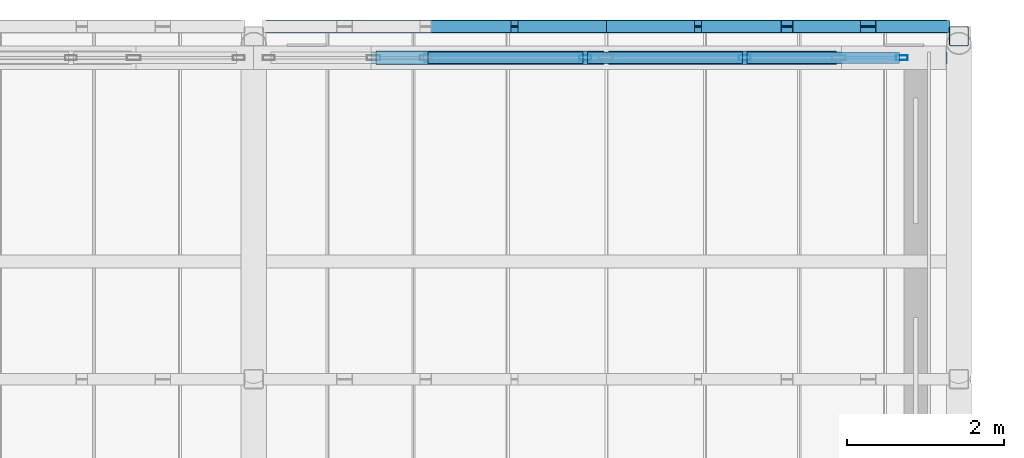
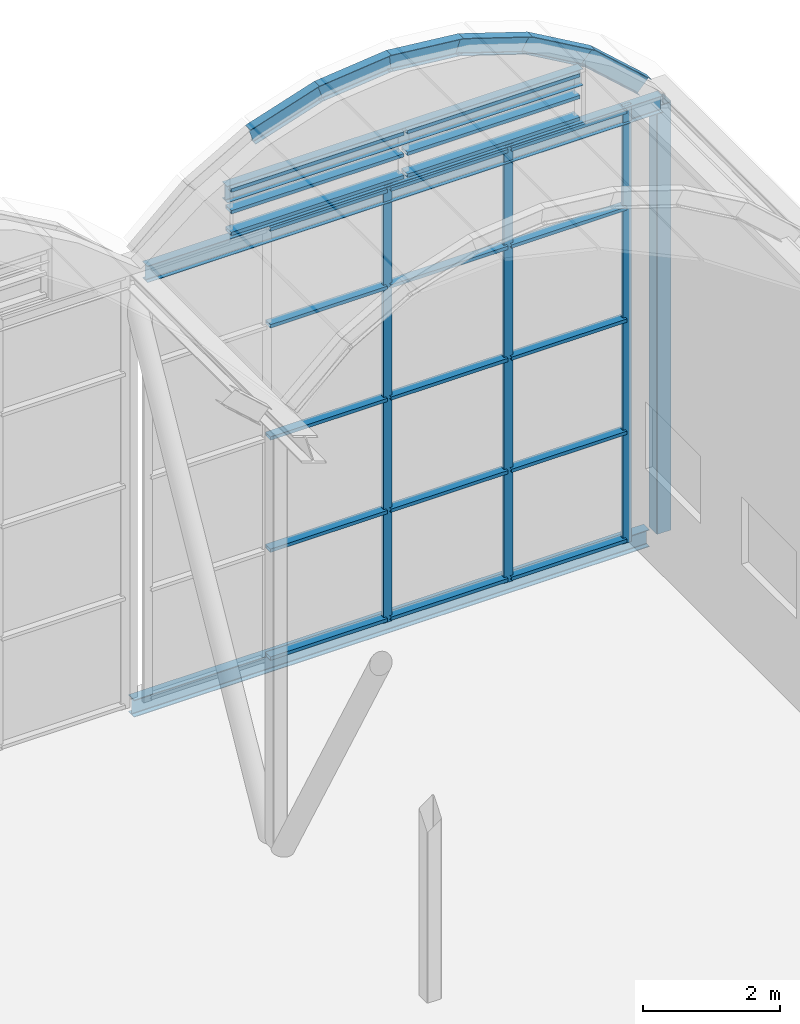
# One storey, part 112 of 144: 31 members, 3 beams, 2 elements without a shape of their own.
"""IFC4 building model written with IfcOpenShell, lengths in metres."""

from ifc_helpers import new_model, si_unit, direction, frame, origin, origin_2d, place, context, subcontext, project, spatial, hollow_rectangle, i_section, extrude, material, layer, layer_set, material_profile, profile_set, type_object, element, aggregate, save


model = new_model("IFC4")

# Units and contexts
model_context = context("Model", 3, precision=1e-05, world=origin(), true_north=direction((0.0, 1.0)))
body_context = subcontext(model_context, "Body", "Model", "MODEL_VIEW")
ifc_project = project(units=[si_unit("LENGTHUNIT", "METRE"), si_unit("AREAUNIT", "SQUARE_METRE"), si_unit("VOLUMEUNIT", "CUBIC_METRE"), si_unit("PLANEANGLEUNIT", "RADIAN"), si_unit("MASSUNIT", "GRAM", prefix="KILO")], contexts=[model_context])

# Site, building, storey
site_placement = place(None, origin())
site = spatial("IfcSite", under=ifc_project, at=site_placement, CompositionType="ELEMENT")
building_placement = place(site_placement, origin())
building = spatial("IfcBuilding", under=site, at=building_placement, Name="Shorebreak Coast Museum", CompositionType="ELEMENT")
storey_placement = place(building_placement, frame((0.0, 0.0, 36.0)))
storey = spatial("IfcBuildingStorey", under=building, at=storey_placement, Name="L06", CompositionType="ELEMENT", Elevation=36.0)

# Curtain wall, members
ifc_material_1 = material(Name="Aluminium", Category="aluminium")
ifc_layer_1 = layer(ifc_material_1, 0.14990234375)
ifc_layer_set_1 = layer_set([ifc_layer_1], Name="Aluminium")
curtain_wall_type_1 = type_object("IfcCurtainWallType", Name="Barrel end glazing", PredefinedType="NOTDEFINED", material=ifc_layer_set_1)
curtain_wall_1_placement = place(storey_placement, origin())
curtain_wall_1 = element("IfcCurtainWall", 1, at=curtain_wall_1_placement, inside=storey, type_object=curtain_wall_type_1, Name="Barrel end glazing L06 7", PredefinedType="NOTDEFINED")
ifc_material_2 = material(Name="Aluminium", Category="aluminium")
ifc_material_profile_1 = material_profile(ifc_material_2, hollow_rectangle(XDim=0.06005859375, YDim=0.14990234375, WallThickness=0.00390625, at=origin_2d()), Name="AL 150x60 RHS")
ifc_profile_set_1 = profile_set([ifc_material_profile_1], Name="Aluminium")
member_type_1 = type_object("IfcMemberType", Name="Barrel mullion 60 x 150", PredefinedType="MULLION", material=ifc_profile_set_1)
member_1_placement = place(storey_placement, frame((112.23095703125, 134.60009765625, 0.0), z_axis=(0.0, 0.0, 1.0), x_axis=(0.0, 1.0, 0.0)))
member_1 = element("IfcMember", 2, at=member_1_placement, type_object=member_type_1, Name="CW7 mullion 3", PredefinedType="MULLION", context=body_context, shape_type="SweptSolid", body=[
    extrude(hollow_rectangle(XDim=0.06005859375, YDim=0.14990234375, WallThickness=0.00390625, at=origin_2d()), origin(), (0.0, 0.0, 1.0), 7.800048828125),
])
member_2_placement = place(storey_placement, frame((114.265380859375, 134.60009765625, 0.0), z_axis=(0.0, 0.0, 1.0), x_axis=(0.0, 1.0, 0.0)))
member_2 = element("IfcMember", 3, at=member_2_placement, type_object=member_type_1, Name="CW7 mullion 4", PredefinedType="MULLION", context=body_context, shape_type="SweptSolid", body=[
    extrude(hollow_rectangle(XDim=0.06005859375, YDim=0.14990234375, WallThickness=0.00390625, at=origin_2d()), origin(), (0.0, 0.0, 1.0), 7.800048828125),
])
member_3_placement = place(storey_placement, frame((116.27001953125, 134.60009765625, 0.0), z_axis=(0.0, 0.0, 1.0), x_axis=(0.0, 1.0, 0.0)))
member_3 = element("IfcMember", 4, at=member_3_placement, type_object=member_type_1, Name="CW7 mullion 5", PredefinedType="MULLION", context=body_context, shape_type="SweptSolid", body=[
    extrude(hollow_rectangle(XDim=0.06005859375, YDim=0.14990234375, WallThickness=0.00390625, at=origin_2d()), origin(), (0.0, 0.0, 1.0), 7.800048828125),
])
ifc_material_3 = material(Name="Aluminium", Category="aluminium")
ifc_material_profile_2 = material_profile(ifc_material_3, hollow_rectangle(XDim=0.14990234375, YDim=0.06005859375, WallThickness=0.00390625, at=origin_2d()), Name="AL 60x150 RHS")
ifc_profile_set_2 = profile_set([ifc_material_profile_2], Name="Aluminium")
member_type_2 = type_object("IfcMemberType", Name="Barrel transom 150 x 60", PredefinedType="USERDEFINED", material=ifc_profile_set_2)
member_4_placement = place(storey_placement, frame((110.2265625, 134.60009765625, 0.074951171875), z_axis=(1.0, 0.0, 0.0), x_axis=(0.0, 1.0, 0.0)))
member_4 = element("IfcMember", 5, at=member_4_placement, type_object=member_type_2, Name="CW7 transom 2.1", ObjectType="TRANSOM", PredefinedType="USERDEFINED", context=body_context, shape_type="SweptSolid", body=[
    extrude(hollow_rectangle(XDim=0.14990234375, YDim=0.06005859375, WallThickness=0.00390625, at=origin_2d()), origin(), (0.0, 0.0, 1.0), 1.974365234375),
])
member_5_placement = place(storey_placement, frame((110.2265625, 134.60009765625, 2.0), z_axis=(1.0, 0.0, 0.0), x_axis=(0.0, 1.0, 0.0)))
member_5 = element("IfcMember", 6, at=member_5_placement, type_object=member_type_2, Name="CW7 transom 2.2", ObjectType="TRANSOM", PredefinedType="USERDEFINED", context=body_context, shape_type="SweptSolid", body=[
    extrude(hollow_rectangle(XDim=0.14990234375, YDim=0.06005859375, WallThickness=0.00390625, at=origin_2d()), origin(), (0.0, 0.0, 1.0), 1.974365234375),
])
member_6_placement = place(storey_placement, frame((110.2265625, 134.60009765625, 4.0), z_axis=(1.0, 0.0, 0.0), x_axis=(0.0, 1.0, 0.0)))
member_6 = element("IfcMember", 7, at=member_6_placement, type_object=member_type_2, Name="CW7 transom 2.3", ObjectType="TRANSOM", PredefinedType="USERDEFINED", context=body_context, shape_type="SweptSolid", body=[
    extrude(hollow_rectangle(XDim=0.14990234375, YDim=0.06005859375, WallThickness=0.00390625, at=origin_2d()), origin(), (0.0, 0.0, 1.0), 1.974365234375),
])
member_7_placement = place(storey_placement, frame((110.2265625, 134.60009765625, 6.0), z_axis=(1.0, 0.0, 0.0), x_axis=(0.0, 1.0, 0.0)))
member_7 = element("IfcMember", 8, at=member_7_placement, type_object=member_type_2, Name="CW7 transom 2.4", ObjectType="TRANSOM", PredefinedType="USERDEFINED", context=body_context, shape_type="SweptSolid", body=[
    extrude(hollow_rectangle(XDim=0.14990234375, YDim=0.06005859375, WallThickness=0.00390625, at=origin_2d()), origin(), (0.0, 0.0, 1.0), 1.974365234375),
])
member_8_placement = place(storey_placement, frame((110.2265625, 134.60009765625, 7.72509765625), z_axis=(1.0, 0.0, 0.0), x_axis=(0.0, 1.0, 0.0)))
member_8 = element("IfcMember", 9, at=member_8_placement, type_object=member_type_2, Name="CW7 transom 2.5", ObjectType="TRANSOM", PredefinedType="USERDEFINED", context=body_context, shape_type="SweptSolid", body=[
    extrude(hollow_rectangle(XDim=0.14990234375, YDim=0.06005859375, WallThickness=0.00390625, at=origin_2d()), origin(), (0.0, 0.0, 1.0), 1.974365234375),
])
member_9_placement = place(storey_placement, frame((112.260986328125, 134.60009765625, 0.074951171875), z_axis=(1.0, 0.0, 0.0), x_axis=(0.0, 1.0, 0.0)))
member_9 = element("IfcMember", 10, at=member_9_placement, type_object=member_type_2, Name="CW7 transom 3.1", ObjectType="TRANSOM", PredefinedType="USERDEFINED", context=body_context, shape_type="SweptSolid", body=[
    extrude(hollow_rectangle(XDim=0.14990234375, YDim=0.06005859375, WallThickness=0.00390625, at=origin_2d()), origin(), (0.0, 0.0, 1.0), 1.974609375),
])
member_10_placement = place(storey_placement, frame((112.260986328125, 134.60009765625, 2.0), z_axis=(1.0, 0.0, 0.0), x_axis=(0.0, 1.0, 0.0)))
member_10 = element("IfcMember", 11, at=member_10_placement, type_object=member_type_2, Name="CW7 transom 3.2", ObjectType="TRANSOM", PredefinedType="USERDEFINED", context=body_context, shape_type="SweptSolid", body=[
    extrude(hollow_rectangle(XDim=0.14990234375, YDim=0.06005859375, WallThickness=0.00390625, at=origin_2d()), origin(), (0.0, 0.0, 1.0), 1.974609375),
])
member_11_placement = place(storey_placement, frame((112.260986328125, 134.60009765625, 4.0), z_axis=(1.0, 0.0, 0.0), x_axis=(0.0, 1.0, 0.0)))
member_11 = element("IfcMember", 12, at=member_11_placement, type_object=member_type_2, Name="CW7 transom 3.3", ObjectType="TRANSOM", PredefinedType="USERDEFINED", context=body_context, shape_type="SweptSolid", body=[
    extrude(hollow_rectangle(XDim=0.14990234375, YDim=0.06005859375, WallThickness=0.00390625, at=origin_2d()), origin(), (0.0, 0.0, 1.0), 1.974609375),
])
member_12_placement = place(storey_placement, frame((112.260986328125, 134.60009765625, 6.0), z_axis=(1.0, 0.0, 0.0), x_axis=(0.0, 1.0, 0.0)))
member_12 = element("IfcMember", 13, at=member_12_placement, type_object=member_type_2, Name="CW7 transom 3.4", ObjectType="TRANSOM", PredefinedType="USERDEFINED", context=body_context, shape_type="SweptSolid", body=[
    extrude(hollow_rectangle(XDim=0.14990234375, YDim=0.06005859375, WallThickness=0.00390625, at=origin_2d()), origin(), (0.0, 0.0, 1.0), 1.974609375),
])
member_13_placement = place(storey_placement, frame((112.260986328125, 134.60009765625, 7.72509765625), z_axis=(1.0, 0.0, 0.0), x_axis=(0.0, 1.0, 0.0)))
member_13 = element("IfcMember", 14, at=member_13_placement, type_object=member_type_2, Name="CW7 transom 3.5", ObjectType="TRANSOM", PredefinedType="USERDEFINED", context=body_context, shape_type="SweptSolid", body=[
    extrude(hollow_rectangle(XDim=0.14990234375, YDim=0.06005859375, WallThickness=0.00390625, at=origin_2d()), origin(), (0.0, 0.0, 1.0), 1.974609375),
])
member_14_placement = place(storey_placement, frame((114.29541015625, 134.60009765625, 0.074951171875), z_axis=(1.0, 0.0, 0.0), x_axis=(0.0, 1.0, 0.0)))
member_14 = element("IfcMember", 15, at=member_14_placement, type_object=member_type_2, Name="CW7 transom 4.1", ObjectType="TRANSOM", PredefinedType="USERDEFINED", context=body_context, shape_type="SweptSolid", body=[
    extrude(hollow_rectangle(XDim=0.14990234375, YDim=0.06005859375, WallThickness=0.00390625, at=origin_2d()), origin(), (0.0, 0.0, 1.0), 1.944580078125),
])
member_15_placement = place(storey_placement, frame((114.29541015625, 134.60009765625, 2.0), z_axis=(1.0, 0.0, 0.0), x_axis=(0.0, 1.0, 0.0)))
member_15 = element("IfcMember", 16, at=member_15_placement, type_object=member_type_2, Name="CW7 transom 4.2", ObjectType="TRANSOM", PredefinedType="USERDEFINED", context=body_context, shape_type="SweptSolid", body=[
    extrude(hollow_rectangle(XDim=0.14990234375, YDim=0.06005859375, WallThickness=0.00390625, at=origin_2d()), origin(), (0.0, 0.0, 1.0), 1.944580078125),
])
member_16_placement = place(storey_placement, frame((114.29541015625, 134.60009765625, 4.0), z_axis=(1.0, 0.0, 0.0), x_axis=(0.0, 1.0, 0.0)))
member_16 = element("IfcMember", 17, at=member_16_placement, type_object=member_type_2, Name="CW7 transom 4.3", ObjectType="TRANSOM", PredefinedType="USERDEFINED", context=body_context, shape_type="SweptSolid", body=[
    extrude(hollow_rectangle(XDim=0.14990234375, YDim=0.06005859375, WallThickness=0.00390625, at=origin_2d()), origin(), (0.0, 0.0, 1.0), 1.944580078125),
])
member_17_placement = place(storey_placement, frame((114.29541015625, 134.60009765625, 6.0), z_axis=(1.0, 0.0, 0.0), x_axis=(0.0, 1.0, 0.0)))
member_17 = element("IfcMember", 18, at=member_17_placement, type_object=member_type_2, Name="CW7 transom 4.4", ObjectType="TRANSOM", PredefinedType="USERDEFINED", context=body_context, shape_type="SweptSolid", body=[
    extrude(hollow_rectangle(XDim=0.14990234375, YDim=0.06005859375, WallThickness=0.00390625, at=origin_2d()), origin(), (0.0, 0.0, 1.0), 1.944580078125),
])
member_18_placement = place(storey_placement, frame((114.29541015625, 134.60009765625, 7.72509765625), z_axis=(1.0, 0.0, 0.0), x_axis=(0.0, 1.0, 0.0)))
member_18 = element("IfcMember", 19, at=member_18_placement, type_object=member_type_2, Name="CW7 transom 4.5", ObjectType="TRANSOM", PredefinedType="USERDEFINED", context=body_context, shape_type="SweptSolid", body=[
    extrude(hollow_rectangle(XDim=0.14990234375, YDim=0.06005859375, WallThickness=0.00390625, at=origin_2d()), origin(), (0.0, 0.0, 1.0), 1.944580078125),
])
aggregate(curtain_wall_1, [member_1, member_2, member_3, member_4, member_5, member_6, member_7, member_8, member_9, member_10, member_11, member_12, member_13, member_14, member_15, member_16, member_17, member_18])

# Beam
ifc_material_4 = material(Name="Steel Grade 300", Category="steel")
ifc_material_profile_3 = material_profile(ifc_material_4, i_section(OverallWidth=0.166015625, OverallDepth=0.30712890625, WebThickness=0.006591796875, FlangeThickness=0.01171875, FilletRadius=0.011474609375, at=origin_2d()), Name="310UB46.2")
ifc_profile_set_3 = profile_set([ifc_material_profile_3], Name="Steel Grade 300")
beam_type_1 = type_object("IfcBeamType", Name="Floor girder east-west 310UB46.2", PredefinedType="BEAM", material=ifc_profile_set_3)
beam_1_placement = place(storey_placement, frame((108.155517578125, 135.0, -0.32861328125), z_axis=(1.0, 0.0, 0.0), x_axis=(0.0, 1.0, 0.0)))
element("IfcBeam", 20, at=beam_1_placement, inside=storey, type_object=beam_type_1, Name="Floor girder east-west L06 13S", PredefinedType="BEAM", context=body_context, shape_type="SweptSolid", body=[
    extrude(i_section(OverallWidth=0.166015625, OverallDepth=0.30712890625, WebThickness=0.006591796875, FlangeThickness=0.01171875, FilletRadius=0.011474609375, at=origin_2d()), origin(), (0.0, 0.0, 1.0), 8.68896484375),
])

# Curtain wall, members
ifc_material_5 = material(Name="Aluminium", Category="aluminium")
ifc_layer_2 = layer(ifc_material_5, 0.175048828125)
ifc_layer_set_2 = layer_set([ifc_layer_2], Name="Aluminium")
curtain_wall_type_2 = type_object("IfcCurtainWallType", Name="Gable curtain wall", PredefinedType="NOTDEFINED", material=ifc_layer_set_2)
curtain_wall_2_placement = place(storey_placement, origin())
curtain_wall_2 = element("IfcCurtainWall", 21, at=curtain_wall_2_placement, inside=storey, type_object=curtain_wall_type_2, Name="Vault arch glazing V7", PredefinedType="NOTDEFINED")
ifc_material_6 = material(Name="Aluminium", Category="aluminium")
ifc_material_profile_4 = material_profile(ifc_material_6, hollow_rectangle(XDim=0.175048828125, YDim=0.06005859375, WallThickness=0.00390625, at=origin_2d()), Name="AL 60x175 RHS")
ifc_profile_set_4 = profile_set([ifc_material_profile_4], Name="Aluminium")
member_type_3 = type_object("IfcMemberType", Name="Gable transom 175 x 60", PredefinedType="USERDEFINED", material=ifc_profile_set_4)
member_19_placement = place(storey_placement, frame((109.56005859375, 134.60009765625, 7.887451171875), z_axis=(1.0, 0.0, 0.0), x_axis=(0.0, 1.0, 0.0)))
member_19 = element("IfcMember", 22, at=member_19_placement, type_object=member_type_3, Name="CW9 transom 1.1", ObjectType="TRANSOM", PredefinedType="USERDEFINED", context=body_context, shape_type="SweptSolid", body=[
    extrude(hollow_rectangle(XDim=0.175048828125, YDim=0.06005859375, WallThickness=0.00390625, at=origin_2d()), origin(), (0.0, 0.0, 1.0), 2.909912109375),
])
member_20_placement = place(storey_placement, frame((109.56005859375, 134.60009765625, 8.27490234375), z_axis=(1.0, 0.0, 0.0), x_axis=(0.0, 1.0, 0.0)))
member_20 = element("IfcMember", 23, at=member_20_placement, type_object=member_type_3, Name="CW9 transom 1.2", ObjectType="TRANSOM", PredefinedType="USERDEFINED", context=body_context, shape_type="SweptSolid", body=[
    extrude(hollow_rectangle(XDim=0.175048828125, YDim=0.06005859375, WallThickness=0.00390625, at=origin_2d()), origin(), (0.0, 0.0, 1.0), 2.909912109375),
])
member_21_placement = place(storey_placement, frame((109.56005859375, 134.60009765625, 8.66259765625), z_axis=(1.0, 0.0, 0.0), x_axis=(0.0, 1.0, 0.0)))
member_21 = element("IfcMember", 24, at=member_21_placement, type_object=member_type_3, Name="CW9 transom 1.3", ObjectType="TRANSOM", PredefinedType="USERDEFINED", context=body_context, shape_type="SweptSolid", body=[
    extrude(hollow_rectangle(XDim=0.175048828125, YDim=0.06005859375, WallThickness=0.00390625, at=origin_2d()), origin(), (0.0, 0.0, 1.0), 2.909912109375),
])
member_22_placement = place(storey_placement, frame((112.530029296875, 134.60009765625, 7.887451171875), z_axis=(1.0, 0.0, 0.0), x_axis=(0.0, 1.0, 0.0)))
member_22 = element("IfcMember", 25, at=member_22_placement, type_object=member_type_3, Name="CW9 transom 2.1", ObjectType="TRANSOM", PredefinedType="USERDEFINED", context=body_context, shape_type="SweptSolid", body=[
    extrude(hollow_rectangle(XDim=0.175048828125, YDim=0.06005859375, WallThickness=0.00390625, at=origin_2d()), origin(), (0.0, 0.0, 1.0), 2.909912109375),
])
member_23_placement = place(storey_placement, frame((112.530029296875, 134.60009765625, 8.27490234375), z_axis=(1.0, 0.0, 0.0), x_axis=(0.0, 1.0, 0.0)))
member_23 = element("IfcMember", 26, at=member_23_placement, type_object=member_type_3, Name="CW9 transom 2.2", ObjectType="TRANSOM", PredefinedType="USERDEFINED", context=body_context, shape_type="SweptSolid", body=[
    extrude(hollow_rectangle(XDim=0.175048828125, YDim=0.06005859375, WallThickness=0.00390625, at=origin_2d()), origin(), (0.0, 0.0, 1.0), 2.909912109375),
])
member_24_placement = place(storey_placement, frame((112.530029296875, 134.60009765625, 8.66259765625), z_axis=(1.0, 0.0, 0.0), x_axis=(0.0, 1.0, 0.0)))
member_24 = element("IfcMember", 27, at=member_24_placement, type_object=member_type_3, Name="CW9 transom 2.3", ObjectType="TRANSOM", PredefinedType="USERDEFINED", context=body_context, shape_type="SweptSolid", body=[
    extrude(hollow_rectangle(XDim=0.175048828125, YDim=0.06005859375, WallThickness=0.00390625, at=origin_2d()), origin(), (0.0, 0.0, 1.0), 2.909912109375),
])
aggregate(curtain_wall_2, [member_19, member_20, member_21, member_22, member_23, member_24])

# Members
ifc_material_7 = material(Name="Steel Grade C450L0", Category="steel")
ifc_material_profile_5 = material_profile(ifc_material_7, hollow_rectangle(XDim=0.25, YDim=0.25, WallThickness=0.009033203125, InnerFilletRadius=0.013427734375, OuterFilletRadius=0.0224609375, at=origin_2d()), Name="250x250x9.0 SHS")
ifc_profile_set_5 = profile_set([ifc_material_profile_5], Name="Steel Grade C450L0")
member_type_4 = type_object("IfcMemberType", Name="Transfer truss strut 250x250x9.0 SHS", PredefinedType="STRUT", material=ifc_profile_set_5)
member_25_placement = place(storey_placement, frame((117.0, 134.875, -0.175048828125), z_axis=(0.0, 0.0, 1.0), x_axis=(1.0, 0.0, 0.0)))
element("IfcMember", 28, at=member_25_placement, inside=storey, type_object=member_type_4, Name="Transfer truss TR8 strut V14", PredefinedType="STRUT", context=body_context, shape_type="SweptSolid", body=[
    extrude(hollow_rectangle(XDim=0.25, YDim=0.25, WallThickness=0.009033203125, InnerFilletRadius=0.013427734375, OuterFilletRadius=0.0224609375, at=origin_2d()), origin(), (0.0, 0.0, 1.0), 7.6328125),
])
ifc_material_8 = material(Name="Steel Grade 300", Category="steel")
ifc_material_profile_6 = material_profile(ifc_material_8, i_section(OverallWidth=0.14892578125, OverallDepth=0.298095703125, WebThickness=0.005615234375, FlangeThickness=0.008056640625, FilletRadius=0.012939453125, at=origin_2d()), Name="310UB32.0")
ifc_profile_set_6 = profile_set([ifc_material_profile_6], Name="Steel Grade 300")
member_type_5 = type_object("IfcMemberType", Name="Vault arch rib 310UB32.0", PredefinedType="RAFTER", material=ifc_profile_set_6)
for number, where, z_axis, x_axis, name in (
    (29, (110.165283203125, 135.0, 9.152099609375), (0.951225984169, 0.0, 0.308494938436), (0.0, 1.0, 0.0), "Vault arch rib V7 line 10 facet 3"),
    (30, (111.298828125, 135.0, 9.52294921875), (0.994539296345, 0.0, 0.104362771266), (0.0, 1.0, 0.0), "Vault arch rib V7 line 10 facet 4"),
    (31, (112.484375, 135.0, 9.650634765625), (0.994539296345, 0.0, -0.104362771266), (0.0, 1.0, 0.0), "Vault arch rib V7 line 10 facet 5"),
    (32, (113.6708984375, 135.0, 9.529541015625), (0.951225984169, 0.0, -0.308494938436), (0.0, 1.0, 0.0), "Vault arch rib V7 line 10 facet 6"),
    (33, (114.80615234375, 135.0, 9.16455078125), (0.866444596228, 0.0, -0.499273233478), (0.0, 1.0, 0.0), "Vault arch rib V7 line 10 facet 7"),
):
    element("IfcMember", number, at=place(storey_placement, frame(where, z_axis=z_axis, x_axis=x_axis)), inside=storey, type_object=member_type_5, Name=name, PredefinedType="RAFTER", context=body_context, shape_type="SweptSolid", body=[
        extrude(i_section(OverallWidth=0.14892578125, OverallDepth=0.298095703125, WebThickness=0.005615234375, FlangeThickness=0.008056640625, FilletRadius=0.012939453125, at=origin_2d()), origin(), (0.0, 0.0, 1.0), 1.223388671875),
    ])
member_26_placement = place(storey_placement, frame((115.841064453125, 135.0, 8.572021484375), z_axis=(0.743894909598, 0.0, -0.668296613394), x_axis=(0.0, 1.0, 0.0)))
element("IfcMember", 34, at=member_26_placement, inside=storey, type_object=member_type_5, Name="Vault arch rib V7 line 10 facet 8", PredefinedType="RAFTER", context=body_context, shape_type="SweptSolid", body=[
    extrude(i_section(OverallWidth=0.14892578125, OverallDepth=0.298095703125, WebThickness=0.005615234375, FlangeThickness=0.008056640625, FilletRadius=0.012939453125, at=origin_2d()), origin(), (0.0, 0.0, 1.0), 1.2724609375),
])

# Beams
ifc_material_9 = material(Name="Steel Grade 300", Category="steel")
ifc_material_profile_7 = material_profile(ifc_material_9, i_section(OverallWidth=0.14892578125, OverallDepth=0.298095703125, WebThickness=0.005615234375, FlangeThickness=0.008056640625, FilletRadius=0.012939453125, at=origin_2d()), Name="310UB32.0")
ifc_profile_set_7 = profile_set([ifc_material_profile_7], Name="Steel Grade 300")
beam_type_2 = type_object("IfcBeamType", Name="Vault end edge beam 310UB32.0", PredefinedType="BEAM", material=ifc_profile_set_7)
beam_2_placement = place(storey_placement, frame((108.155517578125, 134.60009765625, 7.65087890625), z_axis=(1.0, 0.0, 0.0), x_axis=(0.0, 1.0, 0.0)))
element("IfcBeam", 35, at=beam_2_placement, inside=storey, type_object=beam_type_2, Name="Vault end edge beam V7", PredefinedType="BEAM", context=body_context, shape_type="SweptSolid", body=[
    extrude(i_section(OverallWidth=0.14892578125, OverallDepth=0.298095703125, WebThickness=0.005615234375, FlangeThickness=0.008056640625, FilletRadius=0.012939453125, at=origin_2d()), origin(), (0.0, 0.0, 1.0), 8.68896484375),
])
ifc_material_10 = material(Name="Steel Grade 300", Category="steel")
ifc_material_profile_8 = material_profile(ifc_material_10, i_section(OverallWidth=0.14892578125, OverallDepth=0.298095703125, WebThickness=0.005615234375, FlangeThickness=0.008056640625, FilletRadius=0.012939453125, at=origin_2d()), Name="310UB32.0")
ifc_profile_set_8 = profile_set([ifc_material_profile_8], Name="Steel Grade 300")
beam_type_3 = type_object("IfcBeamType", Name="Vault end lintel 310UB32.0", PredefinedType="BEAM", material=ifc_profile_set_8)
beam_3_placement = place(storey_placement, frame((109.5, 134.60009765625, 8.60107421875), z_axis=(1.0, 0.0, 0.0), x_axis=(0.0, 1.0, 0.0)))
element("IfcBeam", 36, at=beam_3_placement, inside=storey, type_object=beam_type_3, Name="Vault end lintel V7", PredefinedType="BEAM", context=body_context, shape_type="SweptSolid", body=[
    extrude(i_section(OverallWidth=0.14892578125, OverallDepth=0.298095703125, WebThickness=0.005615234375, FlangeThickness=0.008056640625, FilletRadius=0.012939453125, at=origin_2d()), origin(), (0.0, 0.0, 1.0), 6.0),
])

save(model, "model.ifc")
